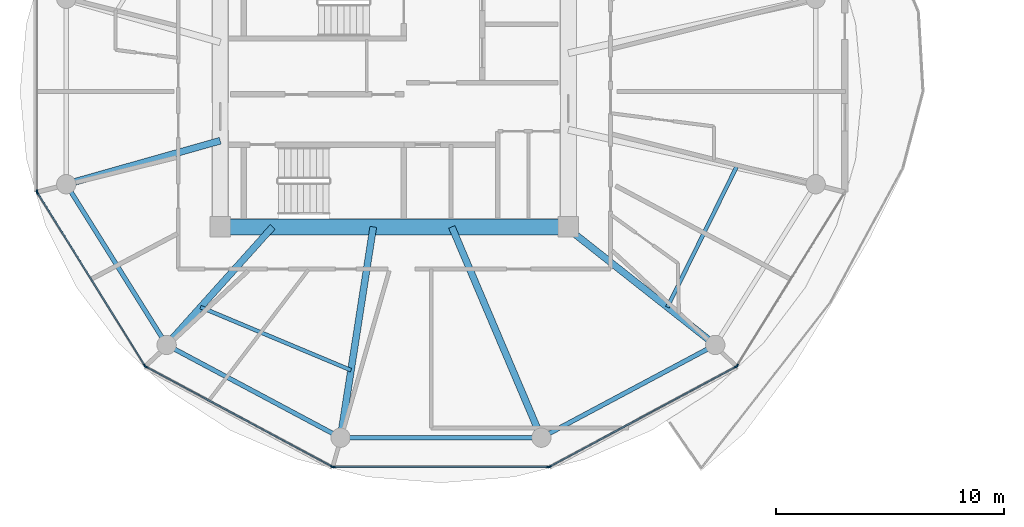
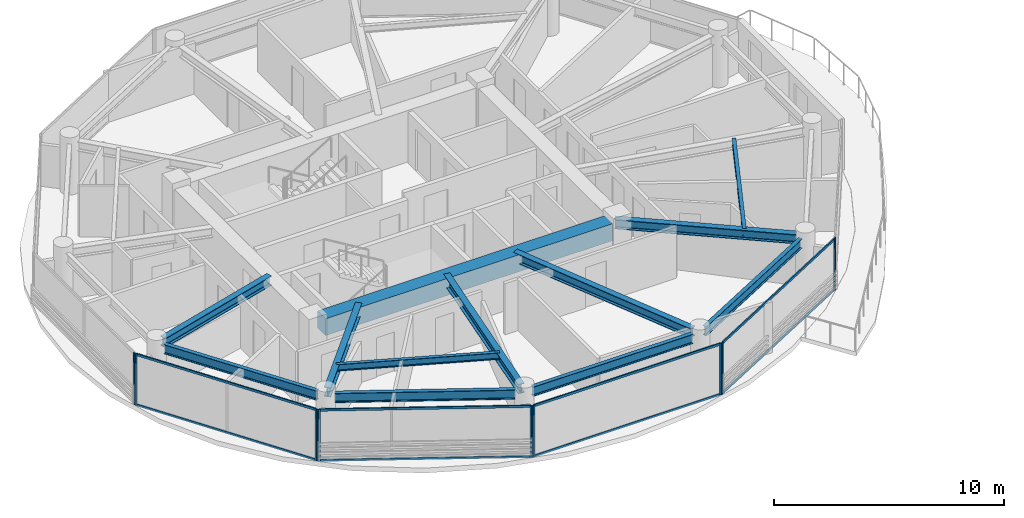
# One storey, part 2 of 22: 18 members, 12 beams, 6 elements without a shape of their own.
"""IFC4 building model written with IfcOpenShell, lengths in metres."""

from ifc_helpers import new_model, si_unit, direction, frame, origin, origin_2d, place, context, subcontext, project, spatial, rectangle, i_section, extrude, source, transform, mapped, material, layer, layer_set, material_profile, profile_set, type_object, type_shapes, element, aggregate, save


model = new_model("IFC4")

# Units and contexts
model_context = context("Model", 3, precision=1e-05, world=origin(), true_north=direction((0.0, 1.0)))
body_context = subcontext(model_context, "Body", "Model", "MODEL_VIEW")
ifc_project = project(units=[si_unit("LENGTHUNIT", "METRE"), si_unit("AREAUNIT", "SQUARE_METRE"), si_unit("VOLUMEUNIT", "CUBIC_METRE"), si_unit("PLANEANGLEUNIT", "RADIAN"), si_unit("MASSUNIT", "GRAM", prefix="KILO")], contexts=[model_context])

# Site, building, storey
site_placement = place(None, origin())
site = spatial("IfcSite", under=ifc_project, at=site_placement, CompositionType="ELEMENT")
building_placement = place(site_placement, origin())
building = spatial("IfcBuilding", under=site, at=building_placement, Name="Norrkilde Senior Care Towers", CompositionType="ELEMENT")
storey_placement = place(building_placement, frame((0.0, 0.0, 126.75)))
storey = spatial("IfcBuildingStorey", under=building, at=storey_placement, Name="L39", CompositionType="ELEMENT", Elevation=126.75)

# Beams
ifc_material_1 = material(Name="Concrete C60/75", Category="concrete")
ifc_material_profile_1 = material_profile(ifc_material_1, rectangle(XDim=0.699951171875, YDim=0.89990234375, at=origin_2d()), Name="RC BM 700x900")
ifc_profile_set_1 = profile_set([ifc_material_profile_1], Name="Concrete C60/75")
beam_type_1 = type_object("IfcBeamType", Name="Core Coupling Girder 700x900", PredefinedType="USERDEFINED", material=ifc_profile_set_1)
shared_shape_1 = source(origin(), body_context, "Body", "SweptSolid", [
    extrude(rectangle(XDim=0.699951171875, YDim=0.89990234375, at=origin_2d()), origin(), (0.0, 0.0, 1.0), 14.43994140625),
])
type_shapes(beam_type_1, [shared_shape_1])
beam_1_placement = place(storey_placement, frame((-35.219970703125, -5.949951171875, 2.280029296875), z_axis=(1.0, 0.0, 0.0), x_axis=(0.0, 1.0, 0.0)))
element("IfcBeam", 1, at=beam_1_placement, inside=storey, type_object=beam_type_1, Name="L39 Core W S Coupling Girder", ObjectType="GIRDER", PredefinedType="USERDEFINED", context=body_context, shape_type="MappedRepresentation", body=[
    mapped(shared_shape_1, transform((0.0, 0.0, 0.0), x_axis=(1.0, 0.0, 0.0), y_axis=(0.0, 1.0, 0.0), z_axis=(0.0, 0.0, 1.0), scale=1.0)),
])
ifc_material_2 = material(Name="Steel S355", Category="steel")
ifc_material_profile_2 = material_profile(ifc_material_2, i_section(OverallWidth=0.199951171875, OverallDepth=0.5, WebThickness=0.01025390625, FlangeThickness=0.01611328125, FilletRadius=0.02099609375, at=origin_2d()), Name="IPE 500")
ifc_profile_set_2 = profile_set([ifc_material_profile_2], Name="Steel S355")
beam_type_2 = type_object("IfcBeamType", Name="Perimeter Ring Spandrel Z2 IPE500", PredefinedType="SPANDREL", material=ifc_profile_set_2)
shared_shape_2 = source(origin(), body_context, "Body", "SweptSolid", [
    extrude(i_section(OverallWidth=0.199951171875, OverallDepth=0.5, WebThickness=0.01025390625, FlangeThickness=0.01611328125, FilletRadius=0.02099609375, at=origin_2d()), origin(), (0.0, 0.0, 1.0), 7.892333984375),
])
for number, where, z_axis, x_axis, name in (
    (2, (-37.66650390625, -11.318115234375, 2.47998046875), (0.882350372282, -0.47059305194, 0.0), (0.47059305194, 0.882350372282, 0.0), "L39 Drum W Perimeter Spandrel 08"),
    (3, (-21.197509765625, -15.0322265625, 2.47998046875), (0.882350372282, 0.47059305194, 0.0), (-0.47059305194, 0.882350372282, 0.0), "L39 Drum W Perimeter Spandrel 10"),
):
    element("IfcBeam", number, at=place(storey_placement, frame(where, z_axis=z_axis, x_axis=x_axis)), inside=storey, type_object=beam_type_2, Name=name, PredefinedType="SPANDREL", context=body_context, shape_type="MappedRepresentation", body=[
        mapped(shared_shape_2, transform((0.0, 0.0, 0.0), x_axis=(1.0, 0.0, 0.0), y_axis=(0.0, 1.0, 0.0), z_axis=(0.0, 0.0, 1.0), scale=1.0)),
    ])
ifc_material_profile_3 = material_profile(ifc_material_2, i_section(OverallWidth=0.300048828125, OverallDepth=0.5, WebThickness=0.014404296875, FlangeThickness=0.028076171875, FilletRadius=0.027099609375, at=origin_2d()), Name="HEB 500")
ifc_profile_set_3 = profile_set([ifc_material_profile_3], Name="Steel S355")
beam_type_3 = type_object("IfcBeamType", Name="Radial Floor Beam Z2 HEB500", PredefinedType="BEAM", material=ifc_profile_set_3)
shared_shape_3 = source(origin(), body_context, "Body", "SweptSolid", [
    extrude(i_section(OverallWidth=0.300048828125, OverallDepth=0.5, WebThickness=0.014404296875, FlangeThickness=0.028076171875, FilletRadius=0.027099609375, at=origin_2d()), origin(), (0.0, 0.0, 1.0), 7.985595703125),
])
beam_2_placement = place(storey_placement, frame((-20.463623046875, -5.949951171875, 2.47998046875), z_axis=(0.784858505144, -0.619675017169, 0.0), x_axis=(0.619675017169, 0.784858505144, 0.0)))
element("IfcBeam", 4, at=beam_2_placement, inside=storey, type_object=beam_type_3, Name="L39 Drum W Radial Floor Beam 11", PredefinedType="BEAM", context=body_context, shape_type="MappedRepresentation", body=[
    mapped(shared_shape_3, transform((0.0, 0.0, 0.0), x_axis=(1.0, 0.0, 0.0), y_axis=(0.0, 1.0, 0.0), z_axis=(0.0, 0.0, 1.0), scale=1.0)),
])
shared_shape_4 = source(origin(), body_context, "Body", "SweptSolid", [
    extrude(i_section(OverallWidth=0.199951171875, OverallDepth=0.5, WebThickness=0.01025390625, FlangeThickness=0.01611328125, FilletRadius=0.02099609375, at=origin_2d()), origin(), (0.0, 0.0, 1.0), 8.0556640625),
])
beam_3_placement = place(storey_placement, frame((-29.977783203125, -15.21337890625, 2.47998046875), z_axis=(1.0, 0.0, 0.0), x_axis=(0.0, 1.0, 0.0)))
element("IfcBeam", 5, at=beam_3_placement, inside=storey, type_object=beam_type_2, Name="L39 Drum W Perimeter Spandrel 09", PredefinedType="SPANDREL", context=body_context, shape_type="MappedRepresentation", body=[
    mapped(shared_shape_4, transform((0.0, 0.0, 0.0), x_axis=(1.0, 0.0, 0.0), y_axis=(0.0, 1.0, 0.0), z_axis=(0.0, 0.0, 1.0), scale=1.0)),
])
shared_shape_5 = source(origin(), body_context, "Body", "SweptSolid", [
    extrude(i_section(OverallWidth=0.300048828125, OverallDepth=0.5, WebThickness=0.014404296875, FlangeThickness=0.028076171875, FilletRadius=0.027099609375, at=origin_2d()), origin(), (0.0, 0.0, 1.0), 9.679443359375),
])
beam_4_placement = place(storey_placement, frame((-25.472412109375, -5.949951171875, 2.47998046875), z_axis=(0.390998033479, -0.920391513333, 0.0), x_axis=(0.920391513333, 0.390998033479, 0.0)))
element("IfcBeam", 6, at=beam_4_placement, inside=storey, type_object=beam_type_3, Name="L39 Drum W Radial Floor Beam 10", PredefinedType="BEAM", context=body_context, shape_type="MappedRepresentation", body=[
    mapped(shared_shape_5, transform((0.0, 0.0, 0.0), x_axis=(1.0, 0.0, 0.0), y_axis=(0.0, 1.0, 0.0), z_axis=(0.0, 0.0, 1.0), scale=1.0)),
])
shared_shape_6 = source(origin(), body_context, "Body", "SweptSolid", [
    extrude(i_section(OverallWidth=0.300048828125, OverallDepth=0.5, WebThickness=0.014404296875, FlangeThickness=0.028076171875, FilletRadius=0.027099609375, at=origin_2d()), origin(), (0.0, 0.0, 1.0), 8.989501953125),
])
beam_5_placement = place(storey_placement, frame((-28.924072265625, -5.949951171875, 2.47998046875), z_axis=(-0.153471298636, -0.988153105796, 0.0), x_axis=(0.988153105796, -0.153471298636, 0.0)))
element("IfcBeam", 7, at=beam_5_placement, inside=storey, type_object=beam_type_3, Name="L39 Drum W Radial Floor Beam 09", PredefinedType="BEAM", context=body_context, shape_type="MappedRepresentation", body=[
    mapped(shared_shape_6, transform((0.0, 0.0, 0.0), x_axis=(1.0, 0.0, 0.0), y_axis=(0.0, 1.0, 0.0), z_axis=(0.0, 0.0, 1.0), scale=1.0)),
])
shared_shape_7 = source(origin(), body_context, "Body", "SweptSolid", [
    extrude(i_section(OverallWidth=0.199951171875, OverallDepth=0.5, WebThickness=0.01025390625, FlangeThickness=0.01611328125, FilletRadius=0.02099609375, at=origin_2d()), origin(), (0.0, 0.0, 1.0), 7.556396484375),
])
type_shapes(beam_type_2, [shared_shape_2, shared_shape_4, shared_shape_7])
beam_6_placement = place(storey_placement, frame((-42.215087890625, -4.40283203125, 2.47998046875), z_axis=(0.530004748437, -0.847994673706, 0.0), x_axis=(0.847994673706, 0.530004748437, 0.0)))
element("IfcBeam", 8, at=beam_6_placement, inside=storey, type_object=beam_type_2, Name="L39 Drum W Perimeter Spandrel 07", PredefinedType="SPANDREL", context=body_context, shape_type="MappedRepresentation", body=[
    mapped(shared_shape_7, transform((0.0, 0.0, 0.0), x_axis=(1.0, 0.0, 0.0), y_axis=(0.0, 1.0, 0.0), z_axis=(0.0, 0.0, 1.0), scale=1.0)),
])
shared_shape_8 = source(origin(), body_context, "Body", "SweptSolid", [
    extrude(i_section(OverallWidth=0.300048828125, OverallDepth=0.5, WebThickness=0.014404296875, FlangeThickness=0.028076171875, FilletRadius=0.027099609375, at=origin_2d()), origin(), (0.0, 0.0, 1.0), 6.587890625),
])
beam_7_placement = place(storey_placement, frame((-33.345947265625, -5.949951171875, 2.47998046875), z_axis=(-0.668315438605, -0.743877997068, 0.0), x_axis=(0.743877997068, -0.668315438605, 0.0)))
element("IfcBeam", 9, at=beam_7_placement, inside=storey, type_object=beam_type_3, Name="L39 Drum W Radial Floor Beam 08", PredefinedType="BEAM", context=body_context, shape_type="MappedRepresentation", body=[
    mapped(shared_shape_8, transform((0.0, 0.0, 0.0), x_axis=(1.0, 0.0, 0.0), y_axis=(0.0, 1.0, 0.0), z_axis=(0.0, 0.0, 1.0), scale=1.0)),
])
shared_shape_9 = source(origin(), body_context, "Body", "SweptSolid", [
    extrude(i_section(OverallWidth=0.300048828125, OverallDepth=0.5, WebThickness=0.014404296875, FlangeThickness=0.028076171875, FilletRadius=0.027099609375, at=origin_2d()), origin(), (0.0, 0.0, 1.0), 6.6494140625),
])
type_shapes(beam_type_3, [shared_shape_3, shared_shape_5, shared_shape_6, shared_shape_8, shared_shape_9])
beam_8_placement = place(storey_placement, frame((-35.64990234375, -2.162841796875, 2.47998046875), z_axis=(-0.962289138357, -0.27202870106, 0.0), x_axis=(0.27202870106, -0.962289138357, 0.0)))
element("IfcBeam", 10, at=beam_8_placement, inside=storey, type_object=beam_type_3, Name="L39 Drum W Radial Floor Beam 07", PredefinedType="BEAM", context=body_context, shape_type="MappedRepresentation", body=[
    mapped(shared_shape_9, transform((0.0, 0.0, 0.0), x_axis=(1.0, 0.0, 0.0), y_axis=(0.0, 1.0, 0.0), z_axis=(0.0, 0.0, 1.0), scale=1.0)),
])
ifc_material_profile_4 = material_profile(ifc_material_2, i_section(OverallWidth=0.169921875, OverallDepth=0.360107421875, WebThickness=0.008056640625, FlangeThickness=0.0126953125, FilletRadius=0.01806640625, at=origin_2d()), Name="IPE 360")
ifc_profile_set_4 = profile_set([ifc_material_profile_4], Name="Steel S355")
beam_type_4 = type_object("IfcBeamType", Name="Secondary Floor Joist IPE360", PredefinedType="JOIST", material=ifc_profile_set_4)
shared_shape_10 = source(origin(), body_context, "Body", "SweptSolid", [
    extrude(i_section(OverallWidth=0.169921875, OverallDepth=0.360107421875, WebThickness=0.008056640625, FlangeThickness=0.0126953125, FilletRadius=0.01806640625, at=origin_2d()), origin(), (0.0, 0.0, 1.0), 7.169921875),
])
beam_9_placement = place(storey_placement, frame((-36.514892578125, -9.47705078125, 2.550048828125), z_axis=(0.922240600393, -0.386616444279, 0.0), x_axis=(0.386616444279, 0.922240600393, 0.0)))
element("IfcBeam", 11, at=beam_9_placement, inside=storey, type_object=beam_type_4, Name="L39 Drum W Secondary Floor Joist 3", PredefinedType="JOIST", context=body_context, shape_type="MappedRepresentation", body=[
    mapped(shared_shape_10, transform((0.0, 0.0, 0.0), x_axis=(1.0, 0.0, 0.0), y_axis=(0.0, 1.0, 0.0), z_axis=(0.0, 0.0, 1.0), scale=1.0)),
])
shared_shape_11 = source(origin(), body_context, "Body", "SweptSolid", [
    extrude(i_section(OverallWidth=0.169921875, OverallDepth=0.360107421875, WebThickness=0.008056640625, FlangeThickness=0.0126953125, FilletRadius=0.01806640625, at=origin_2d()), origin(), (0.0, 0.0, 1.0), 6.87353515625),
])
type_shapes(beam_type_4, [shared_shape_10, shared_shape_11])
beam_10_placement = place(storey_placement, frame((-15.99609375, -9.47705078125, 2.550048828125), z_axis=(0.44184939592, 0.897089243791, 0.0), x_axis=(-0.897089243791, 0.44184939592, 0.0)))
element("IfcBeam", 12, at=beam_10_placement, inside=storey, type_object=beam_type_4, Name="L39 Drum W Secondary Floor Joist 4", PredefinedType="JOIST", context=body_context, shape_type="MappedRepresentation", body=[
    mapped(shared_shape_11, transform((0.0, 0.0, 0.0), x_axis=(1.0, 0.0, 0.0), y_axis=(0.0, 1.0, 0.0), z_axis=(0.0, 0.0, 1.0), scale=1.0)),
])

# Curtain wall, member
ifc_material_3 = material(Name="Triple Low-E Insulated Glazing", Category="glass")
ifc_layer = layer(ifc_material_3, 0.195068359375)
ifc_layer_set = layer_set([ifc_layer], Name="Triple Low-E Insulated Glazing")
curtain_wall_type = type_object("IfcCurtainWallType", Name="CW3 Zone 2 Assisted Living Curtain Wall", PredefinedType="NOTDEFINED", material=ifc_layer_set)
curtain_wall_1_placement = place(storey_placement, origin())
curtain_wall_1 = element("IfcCurtainWall", 13, at=curtain_wall_1_placement, inside=storey, type_object=curtain_wall_type, Name="L39 Drum W Curtain Wall 05", PredefinedType="NOTDEFINED")
ifc_material_4 = material(Name="Anodised Aluminium", Category="aluminium")
ifc_material_profile_5 = material_profile(ifc_material_4, rectangle(XDim=0.06494140625, YDim=0.159912109375, at=origin_2d()), Name="ALU MULL 65x160")
ifc_profile_set_5 = profile_set([ifc_material_profile_5], Name="Anodised Aluminium")
member_type_1 = type_object("IfcMemberType", Name="Curtain Wall Mullion Z1-Z2 65x160", PredefinedType="MULLION", material=ifc_profile_set_5)
shared_shape_12 = source(origin(), body_context, "Body", "SweptSolid", [
    extrude(rectangle(XDim=0.06494140625, YDim=0.159912109375, at=origin_2d()), origin(), (0.0, 0.0, 1.0), 2.72998046875),
])
type_shapes(member_type_1, [shared_shape_12])
member_1_placement = place(storey_placement, frame((-43.70361328125, -4.38818359375, 0.0), z_axis=(0.0, 0.0, 1.0), x_axis=(-1.0, 0.0, 0.0)))
member_1 = element("IfcMember", 14, at=member_1_placement, type_object=member_type_1, Name="CW-3 mullion 1", PredefinedType="MULLION", context=body_context, shape_type="MappedRepresentation", body=[
    mapped(shared_shape_12, transform((0.0, 0.0, 0.0), x_axis=(1.0, 0.0, 0.0), y_axis=(0.0, 1.0, 0.0), z_axis=(0.0, 0.0, 1.0), scale=1.0)),
])
aggregate(curtain_wall_1, [member_1])

# Curtain wall, members
curtain_wall_2_placement = place(storey_placement, origin())
curtain_wall_2 = element("IfcCurtainWall", 15, at=curtain_wall_2_placement, inside=storey, type_object=curtain_wall_type, Name="L39 Drum W Curtain Wall 06", PredefinedType="NOTDEFINED")
member_2_placement = place(storey_placement, frame((-38.9638671875, -12.0498046875, 0.0), z_axis=(0.0, 0.0, 1.0), x_axis=(-0.849410171862, -0.527733228002, 0.0)))
member_2 = element("IfcMember", 16, at=member_2_placement, type_object=member_type_1, Name="CW-3 mullion 1", PredefinedType="MULLION", context=body_context, shape_type="MappedRepresentation", body=[
    mapped(shared_shape_12, transform((0.0, 0.0, 0.0), x_axis=(1.0, 0.0, 0.0), y_axis=(0.0, 1.0, 0.0), z_axis=(0.0, 0.0, 1.0), scale=1.0)),
])
member_3_placement = place(storey_placement, frame((-43.6865234375, -4.4482421875, 0.0), z_axis=(0.0, 0.0, 1.0), x_axis=(-0.849410171862, -0.527733228002, 0.0)))
member_3 = element("IfcMember", 17, at=member_3_placement, type_object=member_type_1, Name="CW-3 mullion 2", PredefinedType="MULLION", context=body_context, shape_type="MappedRepresentation", body=[
    mapped(shared_shape_12, transform((0.0, 0.0, 0.0), x_axis=(1.0, 0.0, 0.0), y_axis=(0.0, 1.0, 0.0), z_axis=(0.0, 0.0, 1.0), scale=1.0)),
])

curtain_wall_3_placement = place(storey_placement, origin())
curtain_wall_3 = element("IfcCurtainWall", 18, at=curtain_wall_3_placement, inside=storey, type_object=curtain_wall_type, Name="L39 Drum W Curtain Wall 07", PredefinedType="NOTDEFINED")
member_4_placement = place(storey_placement, frame((-30.73583984375, -16.482666015625, 0.0), z_axis=(0.0, 0.0, 1.0), x_axis=(-0.472769402511, -0.881186184668, 0.0)))
member_4 = element("IfcMember", 19, at=member_4_placement, type_object=member_type_1, Name="CW-3 mullion 1", PredefinedType="MULLION", context=body_context, shape_type="MappedRepresentation", body=[
    mapped(shared_shape_12, transform((0.0, 0.0, 0.0), x_axis=(1.0, 0.0, 0.0), y_axis=(0.0, 1.0, 0.0), z_axis=(0.0, 0.0, 1.0), scale=1.0)),
])
member_5_placement = place(storey_placement, frame((-38.91796875, -12.0927734375, 0.0), z_axis=(0.0, 0.0, 1.0), x_axis=(-0.472769402511, -0.881186184668, 0.0)))
member_5 = element("IfcMember", 20, at=member_5_placement, type_object=member_type_1, Name="CW-3 mullion 2", PredefinedType="MULLION", context=body_context, shape_type="MappedRepresentation", body=[
    mapped(shared_shape_12, transform((0.0, 0.0, 0.0), x_axis=(1.0, 0.0, 0.0), y_axis=(0.0, 1.0, 0.0), z_axis=(0.0, 0.0, 1.0), scale=1.0)),
])

curtain_wall_4_placement = place(storey_placement, origin())
curtain_wall_4 = element("IfcCurtainWall", 21, at=curtain_wall_4_placement, inside=storey, type_object=curtain_wall_type, Name="L39 Drum W Curtain Wall 08", PredefinedType="NOTDEFINED")
member_6_placement = place(storey_placement, frame((-21.225341796875, -16.498046875, 0.0), z_axis=(0.0, 0.0, 1.0), x_axis=(0.0, -1.0, 0.0)))
member_6 = element("IfcMember", 22, at=member_6_placement, type_object=member_type_1, Name="CW-3 mullion 1", PredefinedType="MULLION", context=body_context, shape_type="MappedRepresentation", body=[
    mapped(shared_shape_12, transform((0.0, 0.0, 0.0), x_axis=(1.0, 0.0, 0.0), y_axis=(0.0, 1.0, 0.0), z_axis=(0.0, 0.0, 1.0), scale=1.0)),
])
member_7_placement = place(storey_placement, frame((-30.674560546875, -16.498046875, 0.0), z_axis=(0.0, 0.0, 1.0), x_axis=(0.0, -1.0, 0.0)))
member_7 = element("IfcMember", 23, at=member_7_placement, type_object=member_type_1, Name="CW-3 mullion 2", PredefinedType="MULLION", context=body_context, shape_type="MappedRepresentation", body=[
    mapped(shared_shape_12, transform((0.0, 0.0, 0.0), x_axis=(1.0, 0.0, 0.0), y_axis=(0.0, 1.0, 0.0), z_axis=(0.0, 0.0, 1.0), scale=1.0)),
])

curtain_wall_5_placement = place(storey_placement, origin())
curtain_wall_5 = element("IfcCurtainWall", 24, at=curtain_wall_5_placement, inside=storey, type_object=curtain_wall_type, Name="L39 Drum W Curtain Wall 09", PredefinedType="NOTDEFINED")
member_8_placement = place(storey_placement, frame((-12.98193359375, -12.0927734375, 0.0), z_axis=(0.0, 0.0, 1.0), x_axis=(0.472769402511, -0.881186184668, 0.0)))
member_8 = element("IfcMember", 25, at=member_8_placement, type_object=member_type_1, Name="CW-3 mullion 1", PredefinedType="MULLION", context=body_context, shape_type="MappedRepresentation", body=[
    mapped(shared_shape_12, transform((0.0, 0.0, 0.0), x_axis=(1.0, 0.0, 0.0), y_axis=(0.0, 1.0, 0.0), z_axis=(0.0, 0.0, 1.0), scale=1.0)),
])
member_9_placement = place(storey_placement, frame((-21.164306640625, -16.482666015625, 0.0), z_axis=(0.0, 0.0, 1.0), x_axis=(0.472769402511, -0.881186184668, 0.0)))
member_9 = element("IfcMember", 26, at=member_9_placement, type_object=member_type_1, Name="CW-3 mullion 2", PredefinedType="MULLION", context=body_context, shape_type="MappedRepresentation", body=[
    mapped(shared_shape_12, transform((0.0, 0.0, 0.0), x_axis=(1.0, 0.0, 0.0), y_axis=(0.0, 1.0, 0.0), z_axis=(0.0, 0.0, 1.0), scale=1.0)),
])

# Curtain wall, member
curtain_wall_6_placement = place(storey_placement, origin())
curtain_wall_6 = element("IfcCurtainWall", 27, at=curtain_wall_6_placement, inside=storey, type_object=curtain_wall_type, Name="L39 Drum W Curtain Wall 10", PredefinedType="NOTDEFINED")
member_10_placement = place(storey_placement, frame((-12.936279296875, -12.0498046875, 0.0), z_axis=(0.0, 0.0, 1.0), x_axis=(0.849410171862, -0.527733228002, 0.0)))
member_10 = element("IfcMember", 28, at=member_10_placement, type_object=member_type_1, Name="CW-3 mullion 2", PredefinedType="MULLION", context=body_context, shape_type="MappedRepresentation", body=[
    mapped(shared_shape_12, transform((0.0, 0.0, 0.0), x_axis=(1.0, 0.0, 0.0), y_axis=(0.0, 1.0, 0.0), z_axis=(0.0, 0.0, 1.0), scale=1.0)),
])
aggregate(curtain_wall_6, [member_10])

# Member
ifc_material_profile_6 = material_profile(ifc_material_4, rectangle(XDim=0.06005859375, YDim=0.1201171875, at=origin_2d()), Name="ALU TRAN 60x120")
ifc_profile_set_6 = profile_set([ifc_material_profile_6], Name="Anodised Aluminium")
member_type_2 = type_object("IfcMemberType", Name="Curtain Wall Transom Typical 60x120", PredefinedType="USERDEFINED", material=ifc_profile_set_6)
shared_shape_13 = source(origin(), body_context, "Body", "SweptSolid", [
    extrude(rectangle(XDim=0.06005859375, YDim=0.1201171875, at=origin_2d()), origin(), (0.0, 0.0, 1.0), 8.88427734375),
])
member_11_placement = place(storey_placement, frame((-38.98095703125, -12.022216796875, 0.030029296875), z_axis=(-0.527729466743, 0.849412508697, 0.0), x_axis=(-0.849412508697, -0.527729466743, 0.0)))
member_11 = element("IfcMember", 29, at=member_11_placement, type_object=member_type_2, Name="CW-3 transom 1.1", ObjectType="TRANSOM", PredefinedType="USERDEFINED", context=body_context, shape_type="MappedRepresentation", body=[
    mapped(shared_shape_13, transform((0.0, 0.0, 0.0), x_axis=(1.0, 0.0, 0.0), y_axis=(0.0, 1.0, 0.0), z_axis=(0.0, 0.0, 1.0), scale=1.0)),
])

member_12_placement = place(storey_placement, frame((-38.98095703125, -12.022216796875, 2.699951171875), z_axis=(-0.527729466743, 0.849412508697, 0.0), x_axis=(-0.849412508697, -0.527729466743, 0.0)))
member_12 = element("IfcMember", 30, at=member_12_placement, type_object=member_type_2, Name="CW-3 transom 1.2", ObjectType="TRANSOM", PredefinedType="USERDEFINED", context=body_context, shape_type="MappedRepresentation", body=[
    mapped(shared_shape_13, transform((0.0, 0.0, 0.0), x_axis=(1.0, 0.0, 0.0), y_axis=(0.0, 1.0, 0.0), z_axis=(0.0, 0.0, 1.0), scale=1.0)),
])

aggregate(curtain_wall_2, [member_2, member_3, member_11, member_12])

shared_shape_14 = source(origin(), body_context, "Body", "SweptSolid", [
    extrude(rectangle(XDim=0.06005859375, YDim=0.1201171875, at=origin_2d()), origin(), (0.0, 0.0, 1.0), 9.220458984375),
])
member_13_placement = place(storey_placement, frame((-30.764404296875, -16.46728515625, 0.030029296875), z_axis=(-0.881188517866, 0.472765053681, 0.0), x_axis=(-0.472765053681, -0.881188517866, 0.0)))
member_13 = element("IfcMember", 31, at=member_13_placement, type_object=member_type_2, Name="CW-3 transom 1.1", ObjectType="TRANSOM", PredefinedType="USERDEFINED", context=body_context, shape_type="MappedRepresentation", body=[
    mapped(shared_shape_14, transform((0.0, 0.0, 0.0), x_axis=(1.0, 0.0, 0.0), y_axis=(0.0, 1.0, 0.0), z_axis=(0.0, 0.0, 1.0), scale=1.0)),
])

member_14_placement = place(storey_placement, frame((-30.764404296875, -16.46728515625, 2.699951171875), z_axis=(-0.881188517866, 0.472765053681, 0.0), x_axis=(-0.472765053681, -0.881188517866, 0.0)))
member_14 = element("IfcMember", 32, at=member_14_placement, type_object=member_type_2, Name="CW-3 transom 1.2", ObjectType="TRANSOM", PredefinedType="USERDEFINED", context=body_context, shape_type="MappedRepresentation", body=[
    mapped(shared_shape_14, transform((0.0, 0.0, 0.0), x_axis=(1.0, 0.0, 0.0), y_axis=(0.0, 1.0, 0.0), z_axis=(0.0, 0.0, 1.0), scale=1.0)),
])

aggregate(curtain_wall_3, [member_4, member_5, member_13, member_14])

member_15_placement = place(storey_placement, frame((-13.0107421875, -12.108154296875, 0.030029296875), z_axis=(-0.881188517866, -0.472765053681, 0.0), x_axis=(0.472765053681, -0.881188517866, 0.0)))
member_15 = element("IfcMember", 33, at=member_15_placement, type_object=member_type_2, Name="CW-3 transom 1.1", ObjectType="TRANSOM", PredefinedType="USERDEFINED", context=body_context, shape_type="MappedRepresentation", body=[
    mapped(shared_shape_14, transform((0.0, 0.0, 0.0), x_axis=(1.0, 0.0, 0.0), y_axis=(0.0, 1.0, 0.0), z_axis=(0.0, 0.0, 1.0), scale=1.0)),
])

member_16_placement = place(storey_placement, frame((-13.0107421875, -12.108154296875, 2.699951171875), z_axis=(-0.881188517866, -0.472765053681, 0.0), x_axis=(0.472765053681, -0.881188517866, 0.0)))
member_16 = element("IfcMember", 34, at=member_16_placement, type_object=member_type_2, Name="CW-3 transom 1.2", ObjectType="TRANSOM", PredefinedType="USERDEFINED", context=body_context, shape_type="MappedRepresentation", body=[
    mapped(shared_shape_14, transform((0.0, 0.0, 0.0), x_axis=(1.0, 0.0, 0.0), y_axis=(0.0, 1.0, 0.0), z_axis=(0.0, 0.0, 1.0), scale=1.0)),
])

aggregate(curtain_wall_5, [member_8, member_9, member_15, member_16])

shared_shape_15 = source(origin(), body_context, "Body", "SweptSolid", [
    extrude(rectangle(XDim=0.06005859375, YDim=0.1201171875, at=origin_2d()), origin(), (0.0, 0.0, 1.0), 9.38427734375),
])
type_shapes(member_type_2, [shared_shape_13, shared_shape_14, shared_shape_15])
member_17_placement = place(storey_placement, frame((-21.2578125, -16.498046875, 0.030029296875), z_axis=(-1.0, 0.0, 0.0), x_axis=(0.0, -1.0, 0.0)))
member_17 = element("IfcMember", 35, at=member_17_placement, type_object=member_type_2, Name="CW-3 transom 1.1", ObjectType="TRANSOM", PredefinedType="USERDEFINED", context=body_context, shape_type="MappedRepresentation", body=[
    mapped(shared_shape_15, transform((0.0, 0.0, 0.0), x_axis=(1.0, 0.0, 0.0), y_axis=(0.0, 1.0, 0.0), z_axis=(0.0, 0.0, 1.0), scale=1.0)),
])

member_18_placement = place(storey_placement, frame((-21.2578125, -16.498046875, 2.699951171875), z_axis=(-1.0, 0.0, 0.0), x_axis=(0.0, -1.0, 0.0)))
member_18 = element("IfcMember", 36, at=member_18_placement, type_object=member_type_2, Name="CW-3 transom 1.2", ObjectType="TRANSOM", PredefinedType="USERDEFINED", context=body_context, shape_type="MappedRepresentation", body=[
    mapped(shared_shape_15, transform((0.0, 0.0, 0.0), x_axis=(1.0, 0.0, 0.0), y_axis=(0.0, 1.0, 0.0), z_axis=(0.0, 0.0, 1.0), scale=1.0)),
])

aggregate(curtain_wall_4, [member_6, member_7, member_17, member_18])

save(model, "model.ifc")
